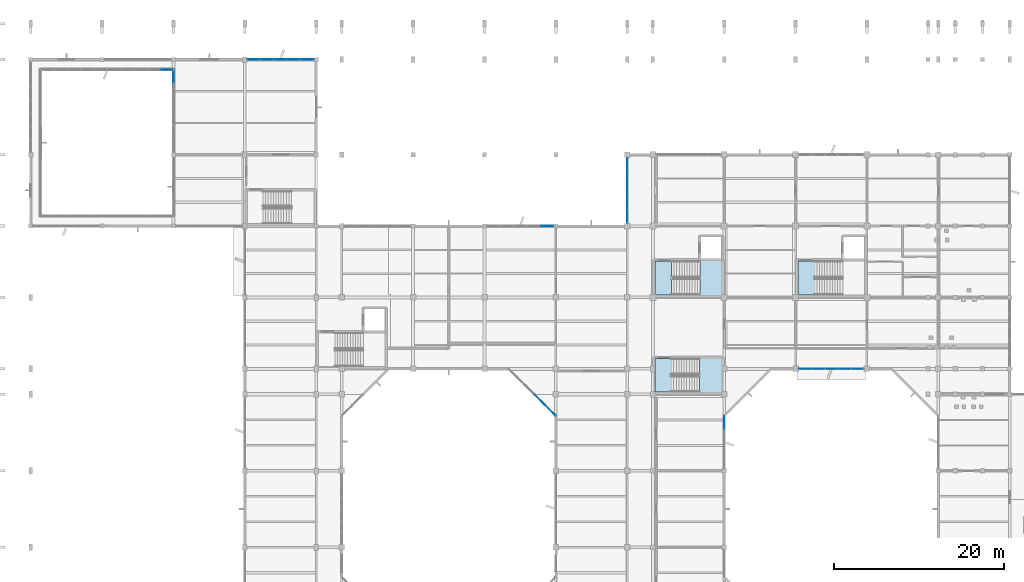
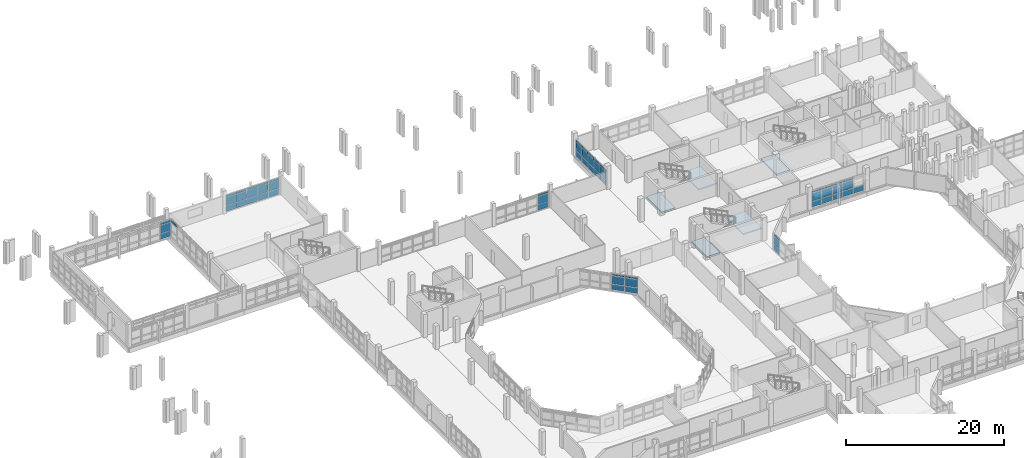
# One storey, part 61 of 104: 59 plates, 5 slabs, 10 elements without a shape of their own.
"""IFC4 building model written with IfcOpenShell, lengths in metres."""

import ifcopenshell
import ifcopenshell.guid

model = None  # the IFC model being written
_history = None  # IfcOwnerHistory: only IFC2X3 demands one
_inside = {}  # id of a spatial element -> (the spatial element, [elements in it])
_under = {}  # id of a project, library or spatial element -> (it, [spatial elements below it])
_declared = {}  # id of a project -> (the project, [libraries it declares])
_typed = {}  # id of a type object -> (the type object, [elements of that type])
_made_of = {}  # id of a material, layer set ... -> (it, [elements and type objects made of it])


def new_model(schema):
    """Start an empty IFC model of exactly this schema.

    Asked for "IFC4X3", IfcOpenShell would pick the latest addendum, in which some entities
    have other attributes; the version numbers below select the first issue.
    IFC2X3 requires an IfcOwnerHistory on every rooted entity: one is made here for all.
    """
    global model, _history
    if schema == "IFC4X3":
        model = ifcopenshell.file(schema_version=(4, 3, 0, 0))
    else:
        model = ifcopenshell.file(schema=schema)
    _inside.clear()
    _under.clear()
    _declared.clear()
    _typed.clear()
    _made_of.clear()
    _history = None
    if model.schema == "IFC2X3":
        org = make("IfcOrganization", Name="unknown")
        user = make(
            "IfcPersonAndOrganization",
            ThePerson=make("IfcPerson", FamilyName="unknown"),
            TheOrganization=org,
        )
        app = make(
            "IfcApplication",
            ApplicationDeveloper=org,
            Version="unknown",
            ApplicationFullName="unknown",
            ApplicationIdentifier="unknown",
        )
        _history = make(
            "IfcOwnerHistory",
            OwningUser=user,
            OwningApplication=app,
            ChangeAction="ADDED",
            CreationDate=0,
        )
    return model


def make(cls, **values):
    """One entity of the class cls with the attributes given. An attribute that is None is left unset."""
    return model.create_entity(
        cls, **{name: value for name, value in values.items() if value is not None}
    )


def rooted(cls, **values):
    """An entity with a GlobalId (a new one), such as an element, a storey or a relation."""
    return make(cls, GlobalId=ifcopenshell.guid.new(), OwnerHistory=_history, **values)


def si_unit(unit_type, name, prefix=None):
    """IfcSIUnit, for example si_unit("LENGTHUNIT", "METRE", prefix="MILLI")."""
    return make("IfcSIUnit", UnitType=unit_type, Prefix=prefix, Name=name)


def assignment(units):
    """IfcUnitAssignment: the units of a project."""
    return None if units is None else make("IfcUnitAssignment", Units=units)


def point(xyz):
    """IfcCartesianPoint."""
    return None if xyz is None else make("IfcCartesianPoint", Coordinates=xyz)


def direction(xyz):
    """IfcDirection."""
    return None if xyz is None else make("IfcDirection", DirectionRatios=xyz)


def frame(location, z_axis=None, x_axis=None):
    """IfcAxis2Placement3D, a coordinate frame: its origin and axes. An axis left out is left unset."""
    return make(
        "IfcAxis2Placement3D",
        Location=point(location),
        Axis=direction(z_axis),
        RefDirection=direction(x_axis),
    )


def frame_2d(location, x_axis=None):
    """IfcAxis2Placement2D, a coordinate frame in the plane: its origin and x axis."""
    return make(
        "IfcAxis2Placement2D", Location=point(location), RefDirection=direction(x_axis)
    )


def origin():
    """The frame at (0, 0, 0) with its axes left unset."""
    return frame((0.0, 0.0, 0.0))


def origin_2d():
    """The frame at (0, 0) in the plane with its x axis left unset."""
    return frame_2d((0.0, 0.0))


def place(relative_to, where):
    """IfcLocalPlacement: puts the frame where relative to a parent placement (None: the world)."""
    return make(
        "IfcLocalPlacement", PlacementRelTo=relative_to, RelativePlacement=where
    )


def context(
    kind, dimensions, precision=None, world=None, true_north=None, identifier=None
):
    """IfcGeometricRepresentationContext, for example the 3D "Model" context."""
    return make(
        "IfcGeometricRepresentationContext",
        ContextIdentifier=identifier,
        ContextType=kind,
        CoordinateSpaceDimension=dimensions,
        Precision=precision,
        WorldCoordinateSystem=world,
        TrueNorth=true_north,
    )


def subcontext(parent, identifier, kind, view, scale=None):
    """IfcGeometricRepresentationSubContext, for example "Body" below "Model"."""
    return make(
        "IfcGeometricRepresentationSubContext",
        ContextIdentifier=identifier,
        ContextType=kind,
        ParentContext=parent,
        TargetScale=scale,
        TargetView=view,
    )


def project(units=None, contexts=None):
    """IfcProject with its units and contexts."""
    return rooted(
        "IfcProject",
        Name="project",
        RepresentationContexts=contexts,
        UnitsInContext=assignment(units),
    )


def spatial(cls, under=None, at=None, **own):
    """A site, building, storey or space (cls), placed at a placement, below another one or the project."""
    s = rooted(cls, ObjectPlacement=at, **own)
    if under is not None:
        _under.setdefault(under.id(), (under, []))[1].append(s)
    return s


def polyline(points):
    """IfcPolyline through the points."""
    return make("IfcPolyline", Points=[point(p) for p in points])


def profile(cls, at=None, kind="AREA", **sizes):
    """A parametric profile (cls). Its sizes go by their IFC names, for example OverallWidth=200.0."""
    return make(cls, ProfileType=kind, Position=at, **sizes)


def rectangle(**sizes):
    """IfcRectangleProfileDef."""
    return profile("IfcRectangleProfileDef", **sizes)


def outline(outer, holes=None, kind="AREA"):
    """IfcArbitraryClosedProfileDef: a profile drawn as a closed curve; with holes, ...WithVoids."""
    if holes is None:
        return make("IfcArbitraryClosedProfileDef", ProfileType=kind, OuterCurve=outer)
    return make(
        "IfcArbitraryProfileDefWithVoids",
        ProfileType=kind,
        OuterCurve=outer,
        InnerCurves=holes,
    )


def extrude(swept, where, along, depth):
    """IfcExtrudedAreaSolid: the profile swept, set in the frame where, extruded along a direction by depth."""
    return make(
        "IfcExtrudedAreaSolid",
        SweptArea=swept,
        Position=where,
        ExtrudedDirection=direction(along),
        Depth=depth,
    )


def shape(context_of_items, identifier, shape_type, items):
    """IfcShapeRepresentation: the items that make up one representation, for example the "Body"."""
    return make(
        "IfcShapeRepresentation",
        ContextOfItems=context_of_items,
        RepresentationIdentifier=identifier,
        RepresentationType=shape_type,
        Items=items,
    )


def material(Name=None, Category=None):
    """IfcMaterial."""
    return make("IfcMaterial", Name=Name, Category=Category)


def layer(
    of_material, thickness, ventilated=None, Name=None, Category=None, Priority=None
):
    """IfcMaterialLayer: one layer of a wall or slab, of a material (None: an air gap)."""
    return make(
        "IfcMaterialLayer",
        Material=of_material,
        LayerThickness=thickness,
        IsVentilated=ventilated,
        Name=Name,
        Category=Category,
        Priority=Priority,
    )


def layer_set(layers, Name=None):
    """IfcMaterialLayerSet."""
    return make("IfcMaterialLayerSet", MaterialLayers=layers, LayerSetName=Name)


def made_of(thing, what):
    """Note that an element or type object is made of a material, layer set ...; save() writes the relation."""
    if what is not None:
        _made_of.setdefault(what.id(), (what, []))[1].append(thing)
    return thing


def type_object(cls, material=None, **own):
    """A type object (cls), such as IfcWallType, which elements share."""
    return made_of(rooted(cls, **own), material)


def element(
    cls,
    number,
    at=None,
    inside=None,
    cuts=None,
    type_object=None,
    material=None,
    context=None,
    identifier="Body",
    shape_type=None,
    held_by="IfcProductDefinitionShape",
    body=None,
    shapes=None,
    **own,
):
    """One element of the class cls, such as IfcWall. Its Tag is "e" and its number.

    at: its placement. inside: the storey or other place that contains it. cuts: it is an
    opening in that element (IfcRelVoidsElement). A single representation is given by context,
    identifier, shape_type and body (its items); several are given by shapes. held_by: the class
    of the entity that holds the representations. save() writes the other relations.
    """
    e = rooted(cls, Tag="e%d" % number, ObjectPlacement=at, **own)
    if body is not None:
        shapes = [shape(context, identifier, shape_type, body)]
    if shapes is not None:
        e.Representation = make(held_by, Representations=shapes)
    if inside is not None:
        _inside.setdefault(inside.id(), (inside, []))[1].append(e)
    if cuts is not None:
        rooted(
            "IfcRelVoidsElement", RelatingBuildingElement=cuts, RelatedOpeningElement=e
        )
    if type_object is not None:
        _typed.setdefault(type_object.id(), (type_object, []))[1].append(e)
    return made_of(e, material)


def aggregate(whole, parts):
    """IfcRelAggregates: a whole, such as a stair, and the parts it consists of."""
    return rooted("IfcRelAggregates", RelatingObject=whole, RelatedObjects=parts)


def save(model, path):
    """Write the relations noted so far, then the file.

    IfcRelAggregates (storeys below a building ...), IfcRelContainedInSpatialStructure (elements
    in a storey), IfcRelDefinesByType, IfcRelAssociatesMaterial and IfcRelDeclares: one each for
    every whole, place, type object, material and project.
    """
    for whole, parts in _under.values():
        aggregate(whole, parts)
    for where, things in _inside.values():
        rooted(
            "IfcRelContainedInSpatialStructure",
            RelatedElements=things,
            RelatingStructure=where,
        )
    for kind, things in _typed.values():
        rooted("IfcRelDefinesByType", RelatedObjects=things, RelatingType=kind)
    for what, things in _made_of.values():
        rooted("IfcRelAssociatesMaterial", RelatedObjects=things, RelatingMaterial=what)
    for by, libraries in _declared.values():
        rooted("IfcRelDeclares", RelatingContext=by, RelatedDefinitions=libraries)
    model.write(path)


model = new_model("IFC4")

# Units and contexts
model_context = context("Model", 3, precision=1e-05, world=origin(), true_north=direction((0.0, 1.0)))
body_context = subcontext(model_context, "Body", "Model", "MODEL_VIEW")
ifc_project = project(units=[si_unit("LENGTHUNIT", "METRE"), si_unit("AREAUNIT", "SQUARE_METRE"), si_unit("VOLUMEUNIT", "CUBIC_METRE"), si_unit("PLANEANGLEUNIT", "RADIAN"), si_unit("MASSUNIT", "GRAM", prefix="KILO")], contexts=[model_context])

# Site, building, storey
site_placement = place(None, origin())
site = spatial("IfcSite", under=ifc_project, at=site_placement, CompositionType="ELEMENT")
building_placement = place(site_placement, origin())
building = spatial("IfcBuilding", under=site, at=building_placement, Name="Vanh Quang Courtyard School", CompositionType="ELEMENT")
storey_placement = place(building_placement, frame((0.0, 0.0, 4.199951171875)))
storey = spatial("IfcBuildingStorey", under=building, at=storey_placement, Name="L01", CompositionType="ELEMENT", Elevation=4.199951171875)

# Curtain wall, plates
ifc_material_1 = material(Name="Thermally broken aluminium unitised curtain wall", Category="aluminium")
curtain_wall_type_1 = type_object("IfcCurtainWallType", Name="CW-SYS-23", PredefinedType="NOTDEFINED", material=ifc_material_1)
curtain_wall_1_placement = place(storey_placement, origin())
curtain_wall_1 = element("IfcCurtainWall", 1, at=curtain_wall_1_placement, inside=storey, type_object=curtain_wall_type_1, Name="Curtain Wall CW-23 (L01)", PredefinedType="NOTDEFINED")
ifc_material_2 = material(Name="Low-E laminated double glazing", Category="glass")
ifc_layer_1 = layer(ifc_material_2, 0.028076171875)
ifc_layer_set_1 = layer_set([ifc_layer_1], Name="Low-E laminated double glazing")
plate_type_1 = type_object("IfcPlateType", Name="CW-PNL-28", PredefinedType="CURTAIN_PANEL", material=ifc_layer_set_1)
plate_1_placement = place(storey_placement, frame((30.46142578125, 107.800048828125, 0.06005859375), z_axis=(0.0, 0.0, 1.0), x_axis=(1.0, 0.0, 0.0)))
plate_1 = element("IfcPlate", 2, at=plate_1_placement, type_object=plate_type_1, Name="CW-23 panel 1.1", PredefinedType="CURTAIN_PANEL", context=body_context, shape_type="SweptSolid", body=[
    extrude(rectangle(XDim=1.48681640625, YDim=0.028076171875, at=origin_2d()), origin(), (0.0, 0.0, 1.0), 0.860107421875),
])
plate_2_placement = place(storey_placement, frame((30.46142578125, 107.800048828125, 0.97998046875), z_axis=(0.0, 0.0, 1.0), x_axis=(1.0, 0.0, 0.0)))
plate_2 = element("IfcPlate", 3, at=plate_2_placement, type_object=plate_type_1, Name="CW-23 panel 1.2", PredefinedType="CURTAIN_PANEL", context=body_context, shape_type="SweptSolid", body=[
    extrude(rectangle(XDim=1.48681640625, YDim=0.028076171875, at=origin_2d()), origin(), (0.0, 0.0, 1.0), 1.239990234375),
])
plate_3_placement = place(storey_placement, frame((30.46142578125, 107.800048828125, 2.280029296875), z_axis=(0.0, 0.0, 1.0), x_axis=(1.0, 0.0, 0.0)))
plate_3 = element("IfcPlate", 4, at=plate_3_placement, type_object=plate_type_1, Name="CW-23 panel 1.3", PredefinedType="CURTAIN_PANEL", context=body_context, shape_type="SweptSolid", body=[
    extrude(rectangle(XDim=1.48681640625, YDim=0.028076171875, at=origin_2d()), origin(), (0.0, 0.0, 1.0), 0.330078125),
])
plate_4_placement = place(storey_placement, frame((32.023193359375, 107.800048828125, 0.06005859375), z_axis=(0.0, 0.0, 1.0), x_axis=(1.0, 0.0, 0.0)))
plate_4 = element("IfcPlate", 5, at=plate_4_placement, type_object=plate_type_1, Name="CW-23 panel 2.1", PredefinedType="CURTAIN_PANEL", context=body_context, shape_type="SweptSolid", body=[
    extrude(rectangle(XDim=1.516845703125, YDim=0.028076171875, at=origin_2d()), origin(), (0.0, 0.0, 1.0), 0.860107421875),
])
plate_5_placement = place(storey_placement, frame((32.023193359375, 107.800048828125, 0.97998046875), z_axis=(0.0, 0.0, 1.0), x_axis=(1.0, 0.0, 0.0)))
plate_5 = element("IfcPlate", 6, at=plate_5_placement, type_object=plate_type_1, Name="CW-23 panel 2.2", PredefinedType="CURTAIN_PANEL", context=body_context, shape_type="SweptSolid", body=[
    extrude(rectangle(XDim=1.516845703125, YDim=0.028076171875, at=origin_2d()), origin(), (0.0, 0.0, 1.0), 1.239990234375),
])
plate_6_placement = place(storey_placement, frame((32.023193359375, 107.800048828125, 2.280029296875), z_axis=(0.0, 0.0, 1.0), x_axis=(1.0, 0.0, 0.0)))
plate_6 = element("IfcPlate", 7, at=plate_6_placement, type_object=plate_type_1, Name="CW-23 panel 2.3", PredefinedType="CURTAIN_PANEL", context=body_context, shape_type="SweptSolid", body=[
    extrude(rectangle(XDim=1.516845703125, YDim=0.028076171875, at=origin_2d()), origin(), (0.0, 0.0, 1.0), 0.330078125),
])
plate_7_placement = place(storey_placement, frame((33.60009765625, 107.800048828125, 0.06005859375), z_axis=(0.0, 0.0, 1.0), x_axis=(1.0, 0.0, 0.0)))
plate_7 = element("IfcPlate", 8, at=plate_7_placement, type_object=plate_type_1, Name="CW-23 panel 3.1", PredefinedType="CURTAIN_PANEL", context=body_context, shape_type="SweptSolid", body=[
    extrude(rectangle(XDim=1.516845703125, YDim=0.028076171875, at=origin_2d()), origin(), (0.0, 0.0, 1.0), 0.860107421875),
])
plate_8_placement = place(storey_placement, frame((33.60009765625, 107.800048828125, 0.97998046875), z_axis=(0.0, 0.0, 1.0), x_axis=(1.0, 0.0, 0.0)))
plate_8 = element("IfcPlate", 9, at=plate_8_placement, type_object=plate_type_1, Name="CW-23 panel 3.2", PredefinedType="CURTAIN_PANEL", context=body_context, shape_type="SweptSolid", body=[
    extrude(rectangle(XDim=1.516845703125, YDim=0.028076171875, at=origin_2d()), origin(), (0.0, 0.0, 1.0), 1.239990234375),
])
plate_9_placement = place(storey_placement, frame((33.60009765625, 107.800048828125, 2.280029296875), z_axis=(0.0, 0.0, 1.0), x_axis=(1.0, 0.0, 0.0)))
plate_9 = element("IfcPlate", 10, at=plate_9_placement, type_object=plate_type_1, Name="CW-23 panel 3.3", PredefinedType="CURTAIN_PANEL", context=body_context, shape_type="SweptSolid", body=[
    extrude(rectangle(XDim=1.516845703125, YDim=0.028076171875, at=origin_2d()), origin(), (0.0, 0.0, 1.0), 0.330078125),
])
plate_10_placement = place(storey_placement, frame((35.1767578125, 107.800048828125, 0.06005859375), z_axis=(0.0, 0.0, 1.0), x_axis=(1.0, 0.0, 0.0)))
plate_10 = element("IfcPlate", 11, at=plate_10_placement, type_object=plate_type_1, Name="CW-23 panel 4.1", PredefinedType="CURTAIN_PANEL", context=body_context, shape_type="SweptSolid", body=[
    extrude(rectangle(XDim=1.516845703125, YDim=0.028076171875, at=origin_2d()), origin(), (0.0, 0.0, 1.0), 0.860107421875),
])
plate_11_placement = place(storey_placement, frame((35.1767578125, 107.800048828125, 0.97998046875), z_axis=(0.0, 0.0, 1.0), x_axis=(1.0, 0.0, 0.0)))
plate_11 = element("IfcPlate", 12, at=plate_11_placement, type_object=plate_type_1, Name="CW-23 panel 4.2", PredefinedType="CURTAIN_PANEL", context=body_context, shape_type="SweptSolid", body=[
    extrude(rectangle(XDim=1.516845703125, YDim=0.028076171875, at=origin_2d()), origin(), (0.0, 0.0, 1.0), 1.239990234375),
])
plate_12_placement = place(storey_placement, frame((35.1767578125, 107.800048828125, 2.280029296875), z_axis=(0.0, 0.0, 1.0), x_axis=(1.0, 0.0, 0.0)))
plate_12 = element("IfcPlate", 13, at=plate_12_placement, type_object=plate_type_1, Name="CW-23 panel 4.3", PredefinedType="CURTAIN_PANEL", context=body_context, shape_type="SweptSolid", body=[
    extrude(rectangle(XDim=1.516845703125, YDim=0.028076171875, at=origin_2d()), origin(), (0.0, 0.0, 1.0), 0.330078125),
])
plate_13_placement = place(storey_placement, frame((36.738525390625, 107.800048828125, 0.06005859375), z_axis=(0.0, 0.0, 1.0), x_axis=(1.0, 0.0, 0.0)))
plate_13 = element("IfcPlate", 14, at=plate_13_placement, type_object=plate_type_1, Name="CW-23 panel 5.1", PredefinedType="CURTAIN_PANEL", context=body_context, shape_type="SweptSolid", body=[
    extrude(rectangle(XDim=1.48681640625, YDim=0.028076171875, at=origin_2d()), origin(), (0.0, 0.0, 1.0), 0.860107421875),
])
plate_14_placement = place(storey_placement, frame((36.738525390625, 107.800048828125, 0.97998046875), z_axis=(0.0, 0.0, 1.0), x_axis=(1.0, 0.0, 0.0)))
plate_14 = element("IfcPlate", 15, at=plate_14_placement, type_object=plate_type_1, Name="CW-23 panel 5.2", PredefinedType="CURTAIN_PANEL", context=body_context, shape_type="SweptSolid", body=[
    extrude(rectangle(XDim=1.48681640625, YDim=0.028076171875, at=origin_2d()), origin(), (0.0, 0.0, 1.0), 1.239990234375),
])
plate_15_placement = place(storey_placement, frame((36.738525390625, 107.800048828125, 2.280029296875), z_axis=(0.0, 0.0, 1.0), x_axis=(1.0, 0.0, 0.0)))
plate_15 = element("IfcPlate", 16, at=plate_15_placement, type_object=plate_type_1, Name="CW-23 panel 5.3", PredefinedType="CURTAIN_PANEL", context=body_context, shape_type="SweptSolid", body=[
    extrude(rectangle(XDim=1.48681640625, YDim=0.028076171875, at=origin_2d()), origin(), (0.0, 0.0, 1.0), 0.330078125),
])
aggregate(curtain_wall_1, [plate_1, plate_2, plate_3, plate_4, plate_5, plate_6, plate_7, plate_8, plate_9, plate_10, plate_11, plate_12, plate_13, plate_14, plate_15])

curtain_wall_type_2 = type_object("IfcCurtainWallType", Name="CW-SYS-19", PredefinedType="NOTDEFINED", material=ifc_material_1)
curtain_wall_2_placement = place(storey_placement, origin())
curtain_wall_2 = element("IfcCurtainWall", 17, at=curtain_wall_2_placement, inside=storey, type_object=curtain_wall_type_2, Name="Curtain Wall CW-19 (L01)", PredefinedType="NOTDEFINED")
plate_16_placement = place(storey_placement, frame((64.93359375, 88.199951171875, 0.080078125), z_axis=(0.0, 0.0, 1.0), x_axis=(1.0, 0.0, 0.0)))
plate_16 = element("IfcPlate", 18, at=plate_16_placement, type_object=plate_type_1, Name="CW-19 panel 5.1", PredefinedType="CURTAIN_PANEL", context=body_context, shape_type="SweptSolid", body=[
    extrude(rectangle(XDim=1.456787109375, YDim=0.028076171875, at=origin_2d()), origin(), (0.0, 0.0, 1.0), 0.830078125),
])
plate_17_placement = place(storey_placement, frame((64.93359375, 88.199951171875, 0.990234375), z_axis=(0.0, 0.0, 1.0), x_axis=(1.0, 0.0, 0.0)))
plate_17 = element("IfcPlate", 19, at=plate_17_placement, type_object=plate_type_1, Name="CW-19 panel 5.2", PredefinedType="CURTAIN_PANEL", context=body_context, shape_type="SweptSolid", body=[
    extrude(rectangle(XDim=1.456787109375, YDim=0.028076171875, at=origin_2d()), origin(), (0.0, 0.0, 1.0), 1.219970703125),
])
plate_18_placement = place(storey_placement, frame((64.93359375, 88.199951171875, 2.2900390625), z_axis=(0.0, 0.0, 1.0), x_axis=(1.0, 0.0, 0.0)))
plate_18 = element("IfcPlate", 20, at=plate_18_placement, type_object=plate_type_1, Name="CW-19 panel 5.3", PredefinedType="CURTAIN_PANEL", context=body_context, shape_type="SweptSolid", body=[
    extrude(rectangle(XDim=1.456787109375, YDim=0.028076171875, at=origin_2d()), origin(), (0.0, 0.0, 1.0), 0.22998046875),
])
aggregate(curtain_wall_2, [plate_16, plate_17, plate_18])

curtain_wall_type_3 = type_object("IfcCurtainWallType", Name="CW-SYS-41", PredefinedType="NOTDEFINED", material=ifc_material_1)
curtain_wall_3_placement = place(storey_placement, origin())
curtain_wall_3 = element("IfcCurtainWall", 21, at=curtain_wall_3_placement, inside=storey, type_object=curtain_wall_type_3, Name="Curtain Wall CW-41 (L01)", PredefinedType="NOTDEFINED")
plate_19_placement = place(storey_placement, frame((65.349853515625, 66.506103515625, 0.080078125), z_axis=(0.0, 0.0, 1.0), x_axis=(-0.707106781187, 0.707106781187, 0.0)))
plate_19 = element("IfcPlate", 22, at=plate_19_placement, type_object=plate_type_1, Name="CW-41 panel 1.1", PredefinedType="CURTAIN_PANEL", context=body_context, shape_type="SweptSolid", body=[
    extrude(rectangle(XDim=1.678955078125, YDim=0.028076171875, at=origin_2d()), origin(), (0.0, 0.0, 1.0), 0.830078125),
])
plate_20_placement = place(storey_placement, frame((65.349853515625, 66.506103515625, 0.990234375), z_axis=(0.0, 0.0, 1.0), x_axis=(-0.707106781187, 0.707106781187, 0.0)))
plate_20 = element("IfcPlate", 23, at=plate_20_placement, type_object=plate_type_1, Name="CW-41 panel 1.2", PredefinedType="CURTAIN_PANEL", context=body_context, shape_type="SweptSolid", body=[
    extrude(rectangle(XDim=1.678955078125, YDim=0.028076171875, at=origin_2d()), origin(), (0.0, 0.0, 1.0), 1.219970703125),
])
plate_21_placement = place(storey_placement, frame((65.349853515625, 66.506103515625, 2.2900390625), z_axis=(0.0, 0.0, 1.0), x_axis=(-0.707106781187, 0.707106781187, 0.0)))
plate_21 = element("IfcPlate", 24, at=plate_21_placement, type_object=plate_type_1, Name="CW-41 panel 1.3", PredefinedType="CURTAIN_PANEL", context=body_context, shape_type="SweptSolid", body=[
    extrude(rectangle(XDim=1.678955078125, YDim=0.028076171875, at=origin_2d()), origin(), (0.0, 0.0, 1.0), 0.22998046875),
])
plate_22_placement = place(storey_placement, frame((64.106201171875, 67.749755859375, 0.080078125), z_axis=(0.0, 0.0, 1.0), x_axis=(-0.707106781187, 0.707106781187, 0.0)))
plate_22 = element("IfcPlate", 25, at=plate_22_placement, type_object=plate_type_1, Name="CW-41 panel 2.1", PredefinedType="CURTAIN_PANEL", context=body_context, shape_type="SweptSolid", body=[
    extrude(rectangle(XDim=1.678955078125, YDim=0.028076171875, at=origin_2d()), origin(), (0.0, 0.0, 1.0), 0.830078125),
])
plate_23_placement = place(storey_placement, frame((64.106201171875, 67.749755859375, 0.990234375), z_axis=(0.0, 0.0, 1.0), x_axis=(-0.707106781187, 0.707106781187, 0.0)))
plate_23 = element("IfcPlate", 26, at=plate_23_placement, type_object=plate_type_1, Name="CW-41 panel 2.2", PredefinedType="CURTAIN_PANEL", context=body_context, shape_type="SweptSolid", body=[
    extrude(rectangle(XDim=1.678955078125, YDim=0.028076171875, at=origin_2d()), origin(), (0.0, 0.0, 1.0), 1.219970703125),
])
plate_24_placement = place(storey_placement, frame((64.106201171875, 67.749755859375, 2.2900390625), z_axis=(0.0, 0.0, 1.0), x_axis=(-0.707106781187, 0.707106781187, 0.0)))
plate_24 = element("IfcPlate", 27, at=plate_24_placement, type_object=plate_type_1, Name="CW-41 panel 2.3", PredefinedType="CURTAIN_PANEL", context=body_context, shape_type="SweptSolid", body=[
    extrude(rectangle(XDim=1.678955078125, YDim=0.028076171875, at=origin_2d()), origin(), (0.0, 0.0, 1.0), 0.22998046875),
])
aggregate(curtain_wall_3, [plate_19, plate_20, plate_21, plate_22, plate_23, plate_24])

curtain_wall_type_4 = type_object("IfcCurtainWallType", Name="CW-SYS-21", PredefinedType="NOTDEFINED", material=ifc_material_1)
curtain_wall_4_placement = place(storey_placement, origin())
curtain_wall_4 = element("IfcCurtainWall", 28, at=curtain_wall_4_placement, inside=storey, type_object=curtain_wall_type_4, Name="Curtain Wall CW-21 (L01)", PredefinedType="NOTDEFINED")
plate_25_placement = place(storey_placement, frame((101.4736328125, 71.39990234375, 0.080078125), z_axis=(0.0, 0.0, 1.0), x_axis=(-1.0, 0.0, 0.0)))
plate_25 = element("IfcPlate", 29, at=plate_25_placement, type_object=plate_type_1, Name="CW-21 panel 1.1", PredefinedType="CURTAIN_PANEL", context=body_context, shape_type="SweptSolid", body=[
    extrude(rectangle(XDim=1.4267578125, YDim=0.028076171875, at=origin_2d()), origin(), (0.0, 0.0, 1.0), 0.830078125),
])
plate_26_placement = place(storey_placement, frame((99.94677734375, 71.39990234375, 0.080078125), z_axis=(0.0, 0.0, 1.0), x_axis=(-1.0, 0.0, 0.0)))
plate_26 = element("IfcPlate", 30, at=plate_26_placement, type_object=plate_type_1, Name="CW-21 panel 2.1", PredefinedType="CURTAIN_PANEL", context=body_context, shape_type="SweptSolid", body=[
    extrude(rectangle(XDim=1.466796875, YDim=0.028076171875, at=origin_2d()), origin(), (0.0, 0.0, 1.0), 0.830078125),
])
plate_27_placement = place(storey_placement, frame((99.94677734375, 71.39990234375, 0.990234375), z_axis=(0.0, 0.0, 1.0), x_axis=(-1.0, 0.0, 0.0)))
plate_27 = element("IfcPlate", 31, at=plate_27_placement, type_object=plate_type_1, Name="CW-21 panel 2.2", PredefinedType="CURTAIN_PANEL", context=body_context, shape_type="SweptSolid", body=[
    extrude(rectangle(XDim=1.466796875, YDim=0.028076171875, at=origin_2d()), origin(), (0.0, 0.0, 1.0), 1.219970703125),
])
plate_28_placement = place(storey_placement, frame((99.94677734375, 71.39990234375, 2.2900390625), z_axis=(0.0, 0.0, 1.0), x_axis=(-1.0, 0.0, 0.0)))
plate_28 = element("IfcPlate", 32, at=plate_28_placement, type_object=plate_type_1, Name="CW-21 panel 2.3", PredefinedType="CURTAIN_PANEL", context=body_context, shape_type="SweptSolid", body=[
    extrude(rectangle(XDim=1.466796875, YDim=0.028076171875, at=origin_2d()), origin(), (0.0, 0.0, 1.0), 0.25),
])
plate_29_placement = place(storey_placement, frame((98.39990234375, 71.39990234375, 0.080078125), z_axis=(0.0, 0.0, 1.0), x_axis=(-1.0, 0.0, 0.0)))
plate_29 = element("IfcPlate", 33, at=plate_29_placement, type_object=plate_type_1, Name="CW-21 panel 3.1", PredefinedType="CURTAIN_PANEL", context=body_context, shape_type="SweptSolid", body=[
    extrude(rectangle(XDim=1.466796875, YDim=0.028076171875, at=origin_2d()), origin(), (0.0, 0.0, 1.0), 0.830078125),
])
plate_30_placement = place(storey_placement, frame((98.39990234375, 71.39990234375, 0.990234375), z_axis=(0.0, 0.0, 1.0), x_axis=(-1.0, 0.0, 0.0)))
plate_30 = element("IfcPlate", 34, at=plate_30_placement, type_object=plate_type_1, Name="CW-21 panel 3.2", PredefinedType="CURTAIN_PANEL", context=body_context, shape_type="SweptSolid", body=[
    extrude(rectangle(XDim=1.466796875, YDim=0.028076171875, at=origin_2d()), origin(), (0.0, 0.0, 1.0), 1.219970703125),
])
plate_31_placement = place(storey_placement, frame((98.39990234375, 71.39990234375, 2.2900390625), z_axis=(0.0, 0.0, 1.0), x_axis=(-1.0, 0.0, 0.0)))
plate_31 = element("IfcPlate", 35, at=plate_31_placement, type_object=plate_type_1, Name="CW-21 panel 3.3", PredefinedType="CURTAIN_PANEL", context=body_context, shape_type="SweptSolid", body=[
    extrude(rectangle(XDim=1.466796875, YDim=0.028076171875, at=origin_2d()), origin(), (0.0, 0.0, 1.0), 0.25),
])
plate_32_placement = place(storey_placement, frame((96.853271484375, 71.39990234375, 0.080078125), z_axis=(0.0, 0.0, 1.0), x_axis=(-1.0, 0.0, 0.0)))
plate_32 = element("IfcPlate", 36, at=plate_32_placement, type_object=plate_type_1, Name="CW-21 panel 4.1", PredefinedType="CURTAIN_PANEL", context=body_context, shape_type="SweptSolid", body=[
    extrude(rectangle(XDim=1.466796875, YDim=0.028076171875, at=origin_2d()), origin(), (0.0, 0.0, 1.0), 0.830078125),
])
plate_33_placement = place(storey_placement, frame((96.853271484375, 71.39990234375, 0.990234375), z_axis=(0.0, 0.0, 1.0), x_axis=(-1.0, 0.0, 0.0)))
plate_33 = element("IfcPlate", 37, at=plate_33_placement, type_object=plate_type_1, Name="CW-21 panel 4.2", PredefinedType="CURTAIN_PANEL", context=body_context, shape_type="SweptSolid", body=[
    extrude(rectangle(XDim=1.466796875, YDim=0.028076171875, at=origin_2d()), origin(), (0.0, 0.0, 1.0), 1.219970703125),
])
plate_34_placement = place(storey_placement, frame((96.853271484375, 71.39990234375, 2.2900390625), z_axis=(0.0, 0.0, 1.0), x_axis=(-1.0, 0.0, 0.0)))
plate_34 = element("IfcPlate", 38, at=plate_34_placement, type_object=plate_type_1, Name="CW-21 panel 4.3", PredefinedType="CURTAIN_PANEL", context=body_context, shape_type="SweptSolid", body=[
    extrude(rectangle(XDim=1.466796875, YDim=0.028076171875, at=origin_2d()), origin(), (0.0, 0.0, 1.0), 0.25),
])
plate_35_placement = place(storey_placement, frame((95.326416015625, 71.39990234375, 0.080078125), z_axis=(0.0, 0.0, 1.0), x_axis=(-1.0, 0.0, 0.0)))
plate_35 = element("IfcPlate", 39, at=plate_35_placement, type_object=plate_type_1, Name="CW-21 panel 5.1", PredefinedType="CURTAIN_PANEL", context=body_context, shape_type="SweptSolid", body=[
    extrude(rectangle(XDim=1.4267578125, YDim=0.028076171875, at=origin_2d()), origin(), (0.0, 0.0, 1.0), 0.830078125),
])
plate_36_placement = place(storey_placement, frame((95.326416015625, 71.39990234375, 0.990234375), z_axis=(0.0, 0.0, 1.0), x_axis=(-1.0, 0.0, 0.0)))
plate_36 = element("IfcPlate", 40, at=plate_36_placement, type_object=plate_type_1, Name="CW-21 panel 5.2", PredefinedType="CURTAIN_PANEL", context=body_context, shape_type="SweptSolid", body=[
    extrude(rectangle(XDim=1.4267578125, YDim=0.028076171875, at=origin_2d()), origin(), (0.0, 0.0, 1.0), 1.219970703125),
])
plate_37_placement = place(storey_placement, frame((95.326416015625, 71.39990234375, 2.2900390625), z_axis=(0.0, 0.0, 1.0), x_axis=(-1.0, 0.0, 0.0)))
plate_37 = element("IfcPlate", 41, at=plate_37_placement, type_object=plate_type_1, Name="CW-21 panel 5.3", PredefinedType="CURTAIN_PANEL", context=body_context, shape_type="SweptSolid", body=[
    extrude(rectangle(XDim=1.4267578125, YDim=0.028076171875, at=origin_2d()), origin(), (0.0, 0.0, 1.0), 0.25),
])
aggregate(curtain_wall_4, [plate_25, plate_26, plate_27, plate_28, plate_29, plate_30, plate_31, plate_32, plate_33, plate_34, plate_35, plate_36, plate_37])

curtain_wall_5_placement = place(storey_placement, origin())
curtain_wall_5 = element("IfcCurtainWall", 42, at=curtain_wall_5_placement, inside=storey, type_object=curtain_wall_type_4, Name="Curtain Wall CW-21 (L01)", PredefinedType="NOTDEFINED")
ifc_layer_2 = layer(ifc_material_2, 0.031982421875)
ifc_layer_set_2 = layer_set([ifc_layer_2], Name="Low-E laminated double glazing")
plate_type_2 = type_object("IfcPlateType", Name="CW-PNL-32", PredefinedType="CURTAIN_PANEL", material=ifc_layer_set_2)
plate_38_placement = place(storey_placement, frame((74.39990234375, 89.3212890625, 0.06005859375), z_axis=(0.0, 0.0, 1.0), x_axis=(0.0, 1.0, 0.0)))
plate_38 = element("IfcPlate", 43, at=plate_38_placement, type_object=plate_type_2, Name="CW-21 panel 1.1", PredefinedType="CURTAIN_PANEL", context=body_context, shape_type="SweptSolid", body=[
    extrude(rectangle(XDim=1.456787109375, YDim=0.031982421875, at=origin_2d()), origin(), (0.0, 0.0, 1.0), 0.860107421875),
])
plate_39_placement = place(storey_placement, frame((74.39990234375, 89.3212890625, 0.97998046875), z_axis=(0.0, 0.0, 1.0), x_axis=(0.0, 1.0, 0.0)))
plate_39 = element("IfcPlate", 44, at=plate_39_placement, type_object=plate_type_2, Name="CW-21 panel 1.2", PredefinedType="CURTAIN_PANEL", context=body_context, shape_type="SweptSolid", body=[
    extrude(rectangle(XDim=1.456787109375, YDim=0.031982421875, at=origin_2d()), origin(), (0.0, 0.0, 1.0), 1.239990234375),
])
plate_40_placement = place(storey_placement, frame((74.39990234375, 89.3212890625, 2.2802734375), z_axis=(0.0, 0.0, 1.0), x_axis=(0.0, 1.0, 0.0)))
plate_40 = element("IfcPlate", 45, at=plate_40_placement, type_object=plate_type_2, Name="CW-21 panel 1.3", PredefinedType="CURTAIN_PANEL", context=body_context, shape_type="SweptSolid", body=[
    extrude(rectangle(XDim=1.456787109375, YDim=0.031982421875, at=origin_2d()), origin(), (0.0, 0.0, 1.0), 0.260009765625),
])
plate_41_placement = place(storey_placement, frame((74.39990234375, 90.853271484375, 0.06005859375), z_axis=(0.0, 0.0, 1.0), x_axis=(0.0, 1.0, 0.0)))
plate_41 = element("IfcPlate", 46, at=plate_41_placement, type_object=plate_type_2, Name="CW-21 panel 2.1", PredefinedType="CURTAIN_PANEL", context=body_context, shape_type="SweptSolid", body=[
    extrude(rectangle(XDim=1.48681640625, YDim=0.031982421875, at=origin_2d()), origin(), (0.0, 0.0, 1.0), 0.860107421875),
])
plate_42_placement = place(storey_placement, frame((74.39990234375, 90.853271484375, 0.97998046875), z_axis=(0.0, 0.0, 1.0), x_axis=(0.0, 1.0, 0.0)))
plate_42 = element("IfcPlate", 47, at=plate_42_placement, type_object=plate_type_2, Name="CW-21 panel 2.2", PredefinedType="CURTAIN_PANEL", context=body_context, shape_type="SweptSolid", body=[
    extrude(rectangle(XDim=1.48681640625, YDim=0.031982421875, at=origin_2d()), origin(), (0.0, 0.0, 1.0), 1.239990234375),
])
plate_43_placement = place(storey_placement, frame((74.39990234375, 90.853271484375, 2.2802734375), z_axis=(0.0, 0.0, 1.0), x_axis=(0.0, 1.0, 0.0)))
plate_43 = element("IfcPlate", 48, at=plate_43_placement, type_object=plate_type_2, Name="CW-21 panel 2.3", PredefinedType="CURTAIN_PANEL", context=body_context, shape_type="SweptSolid", body=[
    extrude(rectangle(XDim=1.48681640625, YDim=0.031982421875, at=origin_2d()), origin(), (0.0, 0.0, 1.0), 0.260009765625),
])
plate_44_placement = place(storey_placement, frame((74.39990234375, 92.39990234375, 0.06005859375), z_axis=(0.0, 0.0, 1.0), x_axis=(0.0, 1.0, 0.0)))
plate_44 = element("IfcPlate", 49, at=plate_44_placement, type_object=plate_type_2, Name="CW-21 panel 3.1", PredefinedType="CURTAIN_PANEL", context=body_context, shape_type="SweptSolid", body=[
    extrude(rectangle(XDim=1.48681640625, YDim=0.031982421875, at=origin_2d()), origin(), (0.0, 0.0, 1.0), 0.860107421875),
])
plate_45_placement = place(storey_placement, frame((74.39990234375, 92.39990234375, 0.97998046875), z_axis=(0.0, 0.0, 1.0), x_axis=(0.0, 1.0, 0.0)))
plate_45 = element("IfcPlate", 50, at=plate_45_placement, type_object=plate_type_2, Name="CW-21 panel 3.2", PredefinedType="CURTAIN_PANEL", context=body_context, shape_type="SweptSolid", body=[
    extrude(rectangle(XDim=1.48681640625, YDim=0.031982421875, at=origin_2d()), origin(), (0.0, 0.0, 1.0), 1.239990234375),
])
plate_46_placement = place(storey_placement, frame((74.39990234375, 92.39990234375, 2.2802734375), z_axis=(0.0, 0.0, 1.0), x_axis=(0.0, 1.0, 0.0)))
plate_46 = element("IfcPlate", 51, at=plate_46_placement, type_object=plate_type_2, Name="CW-21 panel 3.3", PredefinedType="CURTAIN_PANEL", context=body_context, shape_type="SweptSolid", body=[
    extrude(rectangle(XDim=1.48681640625, YDim=0.031982421875, at=origin_2d()), origin(), (0.0, 0.0, 1.0), 0.260009765625),
])
plate_47_placement = place(storey_placement, frame((74.39990234375, 93.94677734375, 0.06005859375), z_axis=(0.0, 0.0, 1.0), x_axis=(0.0, 1.0, 0.0)))
plate_47 = element("IfcPlate", 52, at=plate_47_placement, type_object=plate_type_2, Name="CW-21 panel 4.1", PredefinedType="CURTAIN_PANEL", context=body_context, shape_type="SweptSolid", body=[
    extrude(rectangle(XDim=1.48681640625, YDim=0.031982421875, at=origin_2d()), origin(), (0.0, 0.0, 1.0), 0.860107421875),
])
plate_48_placement = place(storey_placement, frame((74.39990234375, 93.94677734375, 0.97998046875), z_axis=(0.0, 0.0, 1.0), x_axis=(0.0, 1.0, 0.0)))
plate_48 = element("IfcPlate", 53, at=plate_48_placement, type_object=plate_type_2, Name="CW-21 panel 4.2", PredefinedType="CURTAIN_PANEL", context=body_context, shape_type="SweptSolid", body=[
    extrude(rectangle(XDim=1.48681640625, YDim=0.031982421875, at=origin_2d()), origin(), (0.0, 0.0, 1.0), 1.239990234375),
])
plate_49_placement = place(storey_placement, frame((74.39990234375, 93.94677734375, 2.2802734375), z_axis=(0.0, 0.0, 1.0), x_axis=(0.0, 1.0, 0.0)))
plate_49 = element("IfcPlate", 54, at=plate_49_placement, type_object=plate_type_2, Name="CW-21 panel 4.3", PredefinedType="CURTAIN_PANEL", context=body_context, shape_type="SweptSolid", body=[
    extrude(rectangle(XDim=1.48681640625, YDim=0.031982421875, at=origin_2d()), origin(), (0.0, 0.0, 1.0), 0.260009765625),
])
plate_50_placement = place(storey_placement, frame((74.39990234375, 95.478515625, 0.06005859375), z_axis=(0.0, 0.0, 1.0), x_axis=(0.0, 1.0, 0.0)))
plate_50 = element("IfcPlate", 55, at=plate_50_placement, type_object=plate_type_2, Name="CW-21 panel 5.1", PredefinedType="CURTAIN_PANEL", context=body_context, shape_type="SweptSolid", body=[
    extrude(rectangle(XDim=1.456787109375, YDim=0.031982421875, at=origin_2d()), origin(), (0.0, 0.0, 1.0), 0.860107421875),
])
plate_51_placement = place(storey_placement, frame((74.39990234375, 95.478515625, 0.97998046875), z_axis=(0.0, 0.0, 1.0), x_axis=(0.0, 1.0, 0.0)))
plate_51 = element("IfcPlate", 56, at=plate_51_placement, type_object=plate_type_2, Name="CW-21 panel 5.2", PredefinedType="CURTAIN_PANEL", context=body_context, shape_type="SweptSolid", body=[
    extrude(rectangle(XDim=1.456787109375, YDim=0.031982421875, at=origin_2d()), origin(), (0.0, 0.0, 1.0), 1.239990234375),
])
plate_52_placement = place(storey_placement, frame((74.39990234375, 95.478515625, 2.2802734375), z_axis=(0.0, 0.0, 1.0), x_axis=(0.0, 1.0, 0.0)))
plate_52 = element("IfcPlate", 57, at=plate_52_placement, type_object=plate_type_2, Name="CW-21 panel 5.3", PredefinedType="CURTAIN_PANEL", context=body_context, shape_type="SweptSolid", body=[
    extrude(rectangle(XDim=1.456787109375, YDim=0.031982421875, at=origin_2d()), origin(), (0.0, 0.0, 1.0), 0.260009765625),
])
aggregate(curtain_wall_5, [plate_38, plate_39, plate_40, plate_41, plate_42, plate_43, plate_44, plate_45, plate_46, plate_47, plate_48, plate_49, plate_50, plate_51, plate_52])

curtain_wall_type_5 = type_object("IfcCurtainWallType", Name="CW-SYS-35", PredefinedType="NOTDEFINED", material=ifc_material_1)
curtain_wall_6_placement = place(storey_placement, origin())
curtain_wall_6 = element("IfcCurtainWall", 58, at=curtain_wall_6_placement, inside=storey, type_object=curtain_wall_type_5, Name="Curtain Wall CW-35 (L01)", PredefinedType="NOTDEFINED")
plate_53_placement = place(storey_placement, frame((20.199951171875, 106.60009765625, 0.080078125), z_axis=(0.0, 0.0, 1.0), x_axis=(-1.0, 0.0, 0.0)))
plate_53 = element("IfcPlate", 59, at=plate_53_placement, type_object=plate_type_2, Name="CW-35 panel 1.1", PredefinedType="CURTAIN_PANEL", context=body_context, shape_type="SweptSolid", body=[
    extrude(rectangle(XDim=1.43994140625, YDim=0.031982421875, at=origin_2d()), origin(), (0.0, 0.0, 1.0), 0.830078125),
])
plate_54_placement = place(storey_placement, frame((20.199951171875, 106.60009765625, 0.990234375), z_axis=(0.0, 0.0, 1.0), x_axis=(-1.0, 0.0, 0.0)))
plate_54 = element("IfcPlate", 60, at=plate_54_placement, type_object=plate_type_2, Name="CW-35 panel 1.2", PredefinedType="CURTAIN_PANEL", context=body_context, shape_type="SweptSolid", body=[
    extrude(rectangle(XDim=1.43994140625, YDim=0.031982421875, at=origin_2d()), origin(), (0.0, 0.0, 1.0), 1.219970703125),
])
plate_55_placement = place(storey_placement, frame((20.199951171875, 106.60009765625, 2.2900390625), z_axis=(0.0, 0.0, 1.0), x_axis=(-1.0, 0.0, 0.0)))
plate_55 = element("IfcPlate", 61, at=plate_55_placement, type_object=plate_type_2, Name="CW-35 panel 1.3", PredefinedType="CURTAIN_PANEL", context=body_context, shape_type="SweptSolid", body=[
    extrude(rectangle(XDim=1.43994140625, YDim=0.031982421875, at=origin_2d()), origin(), (0.0, 0.0, 1.0), 0.35009765625),
])
aggregate(curtain_wall_6, [plate_53, plate_54, plate_55])

# Curtain wall, plate
curtain_wall_type_6 = type_object("IfcCurtainWallType", Name="CW-SYS-36", PredefinedType="NOTDEFINED", material=ifc_material_1)
curtain_wall_7_placement = place(storey_placement, origin())
curtain_wall_7 = element("IfcCurtainWall", 62, at=curtain_wall_7_placement, inside=storey, type_object=curtain_wall_type_6, Name="Curtain Wall CW-36 (L01)", PredefinedType="NOTDEFINED")
plate_56_placement = place(storey_placement, frame((21.0, 105.770751953125, 2.28515625), z_axis=(0.0, 0.0, 1.0), x_axis=(0.0, 1.0, 0.0)))
plate_56 = element("IfcPlate", 63, at=plate_56_placement, type_object=plate_type_2, Name="CW-36 panel 6.3", PredefinedType="CURTAIN_PANEL", context=body_context, shape_type="SweptSolid", body=[
    extrude(rectangle(XDim=1.5185546875, YDim=0.031982421875, at=origin_2d()), origin(), (0.0, 0.0, 1.0), 0.364990234375),
])
aggregate(curtain_wall_7, [plate_56])

# Curtain wall, plates
curtain_wall_type_7 = type_object("IfcCurtainWallType", Name="CW-SYS-44", PredefinedType="NOTDEFINED", material=ifc_material_1)
curtain_wall_8_placement = place(storey_placement, origin())
curtain_wall_8 = element("IfcCurtainWall", 64, at=curtain_wall_8_placement, inside=storey, type_object=curtain_wall_type_7, Name="Curtain Wall CW-44 (L01)", PredefinedType="NOTDEFINED")
plate_57_placement = place(storey_placement, frame((85.800048828125, 65.066162109375, 0.06005859375), z_axis=(0.0, 0.0, 1.0), x_axis=(0.0, -1.0, 0.0)))
plate_57 = element("IfcPlate", 65, at=plate_57_placement, type_object=plate_type_2, Name="CW-44 panel 1.1", PredefinedType="CURTAIN_PANEL", context=body_context, shape_type="SweptSolid", body=[
    extrude(rectangle(XDim=1.45947265625, YDim=0.031982421875, at=origin_2d()), origin(), (0.0, 0.0, 1.0), 0.860107421875),
])
plate_58_placement = place(storey_placement, frame((85.800048828125, 65.066162109375, 0.97998046875), z_axis=(0.0, 0.0, 1.0), x_axis=(0.0, -1.0, 0.0)))
plate_58 = element("IfcPlate", 66, at=plate_58_placement, type_object=plate_type_2, Name="CW-44 panel 1.2", PredefinedType="CURTAIN_PANEL", context=body_context, shape_type="SweptSolid", body=[
    extrude(rectangle(XDim=1.45947265625, YDim=0.031982421875, at=origin_2d()), origin(), (0.0, 0.0, 1.0), 1.239990234375),
])
plate_59_placement = place(storey_placement, frame((85.800048828125, 65.066162109375, 2.2802734375), z_axis=(0.0, 0.0, 1.0), x_axis=(0.0, -1.0, 0.0)))
plate_59 = element("IfcPlate", 67, at=plate_59_placement, type_object=plate_type_2, Name="CW-44 panel 1.3", PredefinedType="CURTAIN_PANEL", context=body_context, shape_type="SweptSolid", body=[
    extrude(rectangle(XDim=1.45947265625, YDim=0.031982421875, at=origin_2d()), origin(), (0.0, 0.0, 1.0), 0.280029296875),
])
aggregate(curtain_wall_8, [plate_57, plate_58, plate_59])

# Slabs
ifc_material_3 = material(Name="Concrete C30/37", Category="concrete")
ifc_layer_3 = layer(ifc_material_3, 0.280029296875)
ifc_layer_set_3 = layer_set([ifc_layer_3], Name="Concrete C30/37")
slab_type_1 = type_object("IfcSlabType", Name="SLB-FLR-280", PredefinedType="FLOOR", material=ifc_layer_set_3)
slab_1_placement = place(storey_placement, frame((0.0, 0.0, -0.280029296875)))
element("IfcSlab", 68, at=slab_1_placement, inside=storey, type_object=slab_type_1, Name="Slab SF-02 (L01)", PredefinedType="FLOOR", context=body_context, shape_type="SweptSolid", body=[
    extrude(outline(polyline([(79.6298828125, 80.080078125), (77.679931640625, 80.080078125), (77.679931640625, 84.080078125), (79.6298828125, 84.080078125), (79.6298828125, 80.080078125)])), origin(), (0.0, 0.0, 1.0), 0.280029296875),
])
slab_2_placement = place(storey_placement, frame((0.0, 0.0, -0.280029296875)))
element("IfcSlab", 69, at=slab_2_placement, inside=storey, type_object=slab_type_1, Name="Slab SF-02 (L01)", PredefinedType="FLOOR", context=body_context, shape_type="SweptSolid", body=[
    extrude(outline(polyline([(96.429931640625, 80.080078125), (94.47998046875, 80.080078125), (94.47998046875, 84.080078125), (96.429931640625, 84.080078125), (96.429931640625, 80.080078125)])), origin(), (0.0, 0.0, 1.0), 0.280029296875),
])
slab_3_placement = place(storey_placement, frame((0.0, 0.0, -0.280029296875)))
element("IfcSlab", 70, at=slab_3_placement, inside=storey, type_object=slab_type_1, Name="Slab SF-02 (L01)", PredefinedType="FLOOR", context=body_context, shape_type="SweptSolid", body=[
    extrude(outline(polyline([(79.590087890625, 68.679931640625), (77.679931640625, 68.679931640625), (77.679931640625, 71.39990234375), (77.679931640625, 72.60009765625), (79.590087890625, 72.60009765625), (79.590087890625, 68.679931640625)])), origin(), (0.0, 0.0, 1.0), 0.280029296875),
])

# Stair, slab
stair_type_1 = type_object("IfcStairType", Name="STR-CORE-1920", PredefinedType="HALF_TURN_STAIR", material=ifc_material_3)
stair_1_placement = place(storey_placement, origin())
stair_1 = element("IfcStair", 71, at=stair_1_placement, inside=storey, type_object=stair_type_1, Name="L01 ST-01", PredefinedType="HALF_TURN_STAIR")
ifc_layer_4 = layer(ifc_material_3, 0.199951171875)
ifc_layer_set_4 = layer_set([ifc_layer_4], Name="Concrete C30/37")
slab_type_2 = type_object("IfcSlabType", Name="SLB-LND-200", PredefinedType="LANDING", material=ifc_layer_set_4)
slab_4_placement = place(storey_placement, frame((0.0, 0.0, 1.60009765625)))
slab_4 = element("IfcSlab", 72, at=slab_4_placement, type_object=slab_type_2, Name="ST-01 landing 1", PredefinedType="LANDING", context=body_context, shape_type="SweptSolid", body=[
    extrude(outline(polyline([(82.955078125, 79.919921875), (85.679931640625, 79.919921875), (85.679931640625, 84.239990234375), (82.955078125, 84.239990234375), (82.955078125, 79.919921875)])), origin(), (0.0, 0.0, 1.0), 0.199951171875),
])
aggregate(stair_1, [slab_4])

stair_type_2 = type_object("IfcStairType", Name="STR-CORE-1880", PredefinedType="HALF_TURN_STAIR", material=ifc_material_3)
stair_2_placement = place(storey_placement, origin())
stair_2 = element("IfcStair", 73, at=stair_2_placement, inside=storey, type_object=stair_type_2, Name="L01 ST-05", PredefinedType="HALF_TURN_STAIR")
slab_5_placement = place(storey_placement, frame((0.0, 0.0, 1.60009765625)))
slab_5 = element("IfcSlab", 74, at=slab_5_placement, type_object=slab_type_2, Name="ST-05 landing 1", PredefinedType="LANDING", context=body_context, shape_type="SweptSolid", body=[
    extrude(outline(polyline([(82.9150390625, 68.52001953125), (85.679931640625, 68.52001953125), (85.679931640625, 72.760009765625), (82.9150390625, 72.760009765625), (82.9150390625, 68.52001953125)])), origin(), (0.0, 0.0, 1.0), 0.199951171875),
])
aggregate(stair_2, [slab_5])

save(model, "model.ifc")
